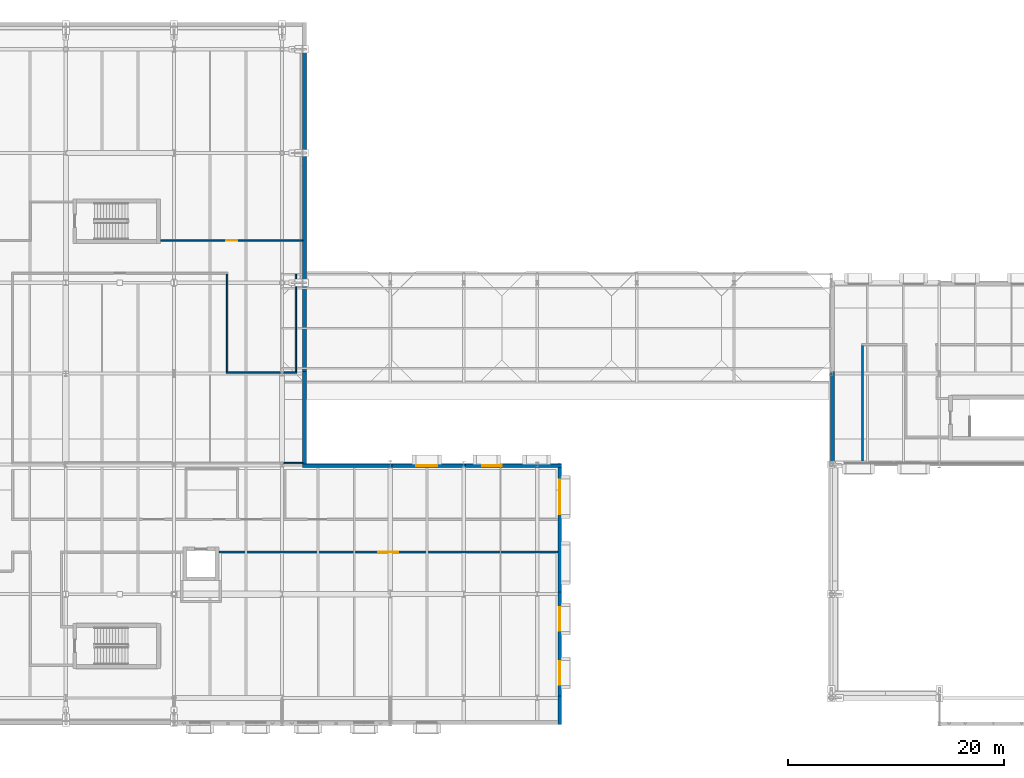
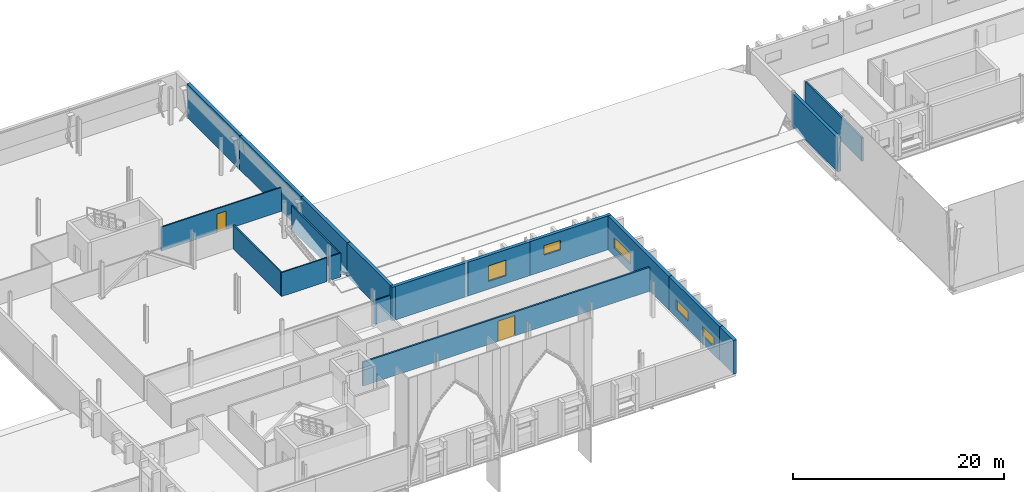
# One storey, part 66 of 90: 19 walls, 5 windows, 2 doors, 7 openings.
"""IFC4 building model written with IfcOpenShell, lengths in metres."""

import ifcopenshell
import ifcopenshell.guid

model = None  # the IFC model being written
_history = None  # IfcOwnerHistory: only IFC2X3 demands one
_inside = {}  # id of a spatial element -> (the spatial element, [elements in it])
_under = {}  # id of a project, library or spatial element -> (it, [spatial elements below it])
_declared = {}  # id of a project -> (the project, [libraries it declares])
_typed = {}  # id of a type object -> (the type object, [elements of that type])
_made_of = {}  # id of a material, layer set ... -> (it, [elements and type objects made of it])


def new_model(schema):
    """Start an empty IFC model of exactly this schema.

    Asked for "IFC4X3", IfcOpenShell would pick the latest addendum, in which some entities
    have other attributes; the version numbers below select the first issue.
    IFC2X3 requires an IfcOwnerHistory on every rooted entity: one is made here for all.
    """
    global model, _history
    if schema == "IFC4X3":
        model = ifcopenshell.file(schema_version=(4, 3, 0, 0))
    else:
        model = ifcopenshell.file(schema=schema)
    _inside.clear()
    _under.clear()
    _declared.clear()
    _typed.clear()
    _made_of.clear()
    _history = None
    if model.schema == "IFC2X3":
        org = make("IfcOrganization", Name="unknown")
        user = make(
            "IfcPersonAndOrganization",
            ThePerson=make("IfcPerson", FamilyName="unknown"),
            TheOrganization=org,
        )
        app = make(
            "IfcApplication",
            ApplicationDeveloper=org,
            Version="unknown",
            ApplicationFullName="unknown",
            ApplicationIdentifier="unknown",
        )
        _history = make(
            "IfcOwnerHistory",
            OwningUser=user,
            OwningApplication=app,
            ChangeAction="ADDED",
            CreationDate=0,
        )
    return model


def make(cls, **values):
    """One entity of the class cls with the attributes given. An attribute that is None is left unset."""
    return model.create_entity(
        cls, **{name: value for name, value in values.items() if value is not None}
    )


def rooted(cls, **values):
    """An entity with a GlobalId (a new one), such as an element, a storey or a relation."""
    return make(cls, GlobalId=ifcopenshell.guid.new(), OwnerHistory=_history, **values)


def si_unit(unit_type, name, prefix=None):
    """IfcSIUnit, for example si_unit("LENGTHUNIT", "METRE", prefix="MILLI")."""
    return make("IfcSIUnit", UnitType=unit_type, Prefix=prefix, Name=name)


def assignment(units):
    """IfcUnitAssignment: the units of a project."""
    return None if units is None else make("IfcUnitAssignment", Units=units)


def point(xyz):
    """IfcCartesianPoint."""
    return None if xyz is None else make("IfcCartesianPoint", Coordinates=xyz)


def direction(xyz):
    """IfcDirection."""
    return None if xyz is None else make("IfcDirection", DirectionRatios=xyz)


def frame(location, z_axis=None, x_axis=None):
    """IfcAxis2Placement3D, a coordinate frame: its origin and axes. An axis left out is left unset."""
    return make(
        "IfcAxis2Placement3D",
        Location=point(location),
        Axis=direction(z_axis),
        RefDirection=direction(x_axis),
    )


def frame_2d(location, x_axis=None):
    """IfcAxis2Placement2D, a coordinate frame in the plane: its origin and x axis."""
    return make(
        "IfcAxis2Placement2D", Location=point(location), RefDirection=direction(x_axis)
    )


def origin():
    """The frame at (0, 0, 0) with its axes left unset."""
    return frame((0.0, 0.0, 0.0))


def place(relative_to, where):
    """IfcLocalPlacement: puts the frame where relative to a parent placement (None: the world)."""
    return make(
        "IfcLocalPlacement", PlacementRelTo=relative_to, RelativePlacement=where
    )


def context(
    kind, dimensions, precision=None, world=None, true_north=None, identifier=None
):
    """IfcGeometricRepresentationContext, for example the 3D "Model" context."""
    return make(
        "IfcGeometricRepresentationContext",
        ContextIdentifier=identifier,
        ContextType=kind,
        CoordinateSpaceDimension=dimensions,
        Precision=precision,
        WorldCoordinateSystem=world,
        TrueNorth=true_north,
    )


def subcontext(parent, identifier, kind, view, scale=None):
    """IfcGeometricRepresentationSubContext, for example "Body" below "Model"."""
    return make(
        "IfcGeometricRepresentationSubContext",
        ContextIdentifier=identifier,
        ContextType=kind,
        ParentContext=parent,
        TargetScale=scale,
        TargetView=view,
    )


def project(units=None, contexts=None):
    """IfcProject with its units and contexts."""
    return rooted(
        "IfcProject",
        Name="project",
        RepresentationContexts=contexts,
        UnitsInContext=assignment(units),
    )


def spatial(cls, under=None, at=None, **own):
    """A site, building, storey or space (cls), placed at a placement, below another one or the project."""
    s = rooted(cls, ObjectPlacement=at, **own)
    if under is not None:
        _under.setdefault(under.id(), (under, []))[1].append(s)
    return s


def profile(cls, at=None, kind="AREA", **sizes):
    """A parametric profile (cls). Its sizes go by their IFC names, for example OverallWidth=200.0."""
    return make(cls, ProfileType=kind, Position=at, **sizes)


def rectangle(**sizes):
    """IfcRectangleProfileDef."""
    return profile("IfcRectangleProfileDef", **sizes)


def extrude(swept, where, along, depth):
    """IfcExtrudedAreaSolid: the profile swept, set in the frame where, extruded along a direction by depth."""
    return make(
        "IfcExtrudedAreaSolid",
        SweptArea=swept,
        Position=where,
        ExtrudedDirection=direction(along),
        Depth=depth,
    )


def shape(context_of_items, identifier, shape_type, items):
    """IfcShapeRepresentation: the items that make up one representation, for example the "Body"."""
    return make(
        "IfcShapeRepresentation",
        ContextOfItems=context_of_items,
        RepresentationIdentifier=identifier,
        RepresentationType=shape_type,
        Items=items,
    )


def material(Name=None, Category=None):
    """IfcMaterial."""
    return make("IfcMaterial", Name=Name, Category=Category)


def layer(
    of_material, thickness, ventilated=None, Name=None, Category=None, Priority=None
):
    """IfcMaterialLayer: one layer of a wall or slab, of a material (None: an air gap)."""
    return make(
        "IfcMaterialLayer",
        Material=of_material,
        LayerThickness=thickness,
        IsVentilated=ventilated,
        Name=Name,
        Category=Category,
        Priority=Priority,
    )


def layer_set(layers, Name=None):
    """IfcMaterialLayerSet."""
    return make("IfcMaterialLayerSet", MaterialLayers=layers, LayerSetName=Name)


def made_of(thing, what):
    """Note that an element or type object is made of a material, layer set ...; save() writes the relation."""
    if what is not None:
        _made_of.setdefault(what.id(), (what, []))[1].append(thing)
    return thing


def type_object(cls, material=None, **own):
    """A type object (cls), such as IfcWallType, which elements share."""
    return made_of(rooted(cls, **own), material)


def element(
    cls,
    number,
    at=None,
    inside=None,
    cuts=None,
    type_object=None,
    material=None,
    context=None,
    identifier="Body",
    shape_type=None,
    held_by="IfcProductDefinitionShape",
    body=None,
    shapes=None,
    **own,
):
    """One element of the class cls, such as IfcWall. Its Tag is "e" and its number.

    at: its placement. inside: the storey or other place that contains it. cuts: it is an
    opening in that element (IfcRelVoidsElement). A single representation is given by context,
    identifier, shape_type and body (its items); several are given by shapes. held_by: the class
    of the entity that holds the representations. save() writes the other relations.
    """
    e = rooted(cls, Tag="e%d" % number, ObjectPlacement=at, **own)
    if body is not None:
        shapes = [shape(context, identifier, shape_type, body)]
    if shapes is not None:
        e.Representation = make(held_by, Representations=shapes)
    if inside is not None:
        _inside.setdefault(inside.id(), (inside, []))[1].append(e)
    if cuts is not None:
        rooted(
            "IfcRelVoidsElement", RelatingBuildingElement=cuts, RelatedOpeningElement=e
        )
    if type_object is not None:
        _typed.setdefault(type_object.id(), (type_object, []))[1].append(e)
    return made_of(e, material)


def fill(opening, filler):
    """IfcRelFillsElement: the door or window that sits in an opening."""
    return rooted(
        "IfcRelFillsElement",
        RelatingOpeningElement=opening,
        RelatedBuildingElement=filler,
    )


def aggregate(whole, parts):
    """IfcRelAggregates: a whole, such as a stair, and the parts it consists of."""
    return rooted("IfcRelAggregates", RelatingObject=whole, RelatedObjects=parts)


def save(model, path):
    """Write the relations noted so far, then the file.

    IfcRelAggregates (storeys below a building ...), IfcRelContainedInSpatialStructure (elements
    in a storey), IfcRelDefinesByType, IfcRelAssociatesMaterial and IfcRelDeclares: one each for
    every whole, place, type object, material and project.
    """
    for whole, parts in _under.values():
        aggregate(whole, parts)
    for where, things in _inside.values():
        rooted(
            "IfcRelContainedInSpatialStructure",
            RelatedElements=things,
            RelatingStructure=where,
        )
    for kind, things in _typed.values():
        rooted("IfcRelDefinesByType", RelatedObjects=things, RelatingType=kind)
    for what, things in _made_of.values():
        rooted("IfcRelAssociatesMaterial", RelatedObjects=things, RelatingMaterial=what)
    for by, libraries in _declared.values():
        rooted("IfcRelDeclares", RelatingContext=by, RelatedDefinitions=libraries)
    model.write(path)


model = new_model("IFC4")

# Units and contexts
model_context = context("Model", 3, precision=1e-05, world=origin(), true_north=direction((0.0, 1.0)))
body_context = subcontext(model_context, "Body", "Model", "MODEL_VIEW")
ifc_project = project(units=[si_unit("LENGTHUNIT", "METRE"), si_unit("AREAUNIT", "SQUARE_METRE"), si_unit("VOLUMEUNIT", "CUBIC_METRE"), si_unit("PLANEANGLEUNIT", "RADIAN"), si_unit("MASSUNIT", "GRAM", prefix="KILO")], contexts=[model_context])

# Site, building, storey
site_placement = place(None, origin())
site = spatial("IfcSite", under=ifc_project, at=site_placement, CompositionType="ELEMENT")
building_placement = place(site_placement, origin())
building = spatial("IfcBuilding", under=site, at=building_placement, Name="Zereglee Splitstone Museum", CompositionType="ELEMENT")
storey_placement = place(building_placement, frame((0.0, 0.0, 4.800048828125)))
storey = spatial("IfcBuildingStorey", under=building, at=storey_placement, Name="L01", CompositionType="ELEMENT", Elevation=4.800048828125)

# Wall
ifc_material_1 = material(Name="Precast concrete C40/50", Category="concrete")
ifc_layer_1 = layer(ifc_material_1, 0.35009765625)
ifc_layer_set_1 = layer_set([ifc_layer_1], Name="Precast concrete C40/50")
wall_type_1 = type_object("IfcWallType", Name="EW-01", PredefinedType="STANDARD", material=ifc_layer_set_1)
wall_1_placement = place(storey_placement, frame((230.8798828125, -2.4599609375, 0.0), z_axis=(0.0, 0.0, 1.0), x_axis=(0.0, 1.0, 0.0)))
element("IfcWall", 1, at=wall_1_placement, inside=storey, type_object=wall_type_1, Name="Exterior Backup Wall RC4-EW-L01-0024", PredefinedType="STANDARD", context=body_context, shape_type="SweptSolid", body=[
    extrude(rectangle(XDim=2.639892578125, YDim=0.35009765625, at=frame_2d((1.31982421875, 0.0))), origin(), (0.0, 0.0, 1.0), 3.89990234375),
])

# Wall, openings, windows
wall_2_placement = place(storey_placement, frame((230.8798828125, -0.179931640625, 0.0), z_axis=(0.0, 0.0, 1.0), x_axis=(0.0, 1.0, 0.0)))
wall_2 = element("IfcWall", 2, at=wall_2_placement, inside=storey, type_object=wall_type_1, Name="Exterior Backup Wall RC4-EW-L01-0025", PredefinedType="STANDARD", context=body_context, shape_type="SweptSolid", body=[
    extrude(rectangle(XDim=9.9599609375, YDim=0.35009765625, at=frame_2d((4.97998046875, 0.0))), origin(), (0.0, 0.0, 1.0), 3.89990234375),
])
opening_1_placement = place(wall_2_placement, frame((1.389892578125, 0.0, 0.89990234375)))
opening_1 = element("IfcOpeningElement", 3, at=opening_1_placement, cuts=wall_2, Name="Opening EW-W13", PredefinedType="OPENING", context=body_context, shape_type="SweptSolid", body=[
    extrude(rectangle(XDim=2.199951171875, YDim=1.10009765625, at=frame_2d((1.10009765625, 0.550048828125))), frame((0.0, 0.18994140625, 0.0), z_axis=(0.0, -1.0, 0.0), x_axis=(1.0, 0.0, 0.0)), (0.0, 0.0, 1.0), 0.3798828125),
])
opening_2_placement = place(wall_2_placement, frame((6.3701171875, 0.0, 0.89990234375)))
opening_2 = element("IfcOpeningElement", 4, at=opening_2_placement, cuts=wall_2, Name="Opening EW-W13", PredefinedType="OPENING", context=body_context, shape_type="SweptSolid", body=[
    extrude(rectangle(XDim=2.199951171875, YDim=1.10009765625, at=frame_2d((1.10009765625, 0.550048828125))), frame((0.0, 0.18994140625, 0.0), z_axis=(0.0, -1.0, 0.0), x_axis=(1.0, 0.0, 0.0)), (0.0, 0.0, 1.0), 0.3798828125),
])
ifc_material_2 = material(Name="Thermally broken aluminium frame with triple low-e glazing", Category="aluminium")
window_type_1 = type_object("IfcWindowType", Name="EW-W13", PartitioningType="DOUBLE_PANEL_HORIZONTAL", PredefinedType="WINDOW", material=ifc_material_2)
window_1_placement = place(opening_1_placement, origin())
window_1 = element("IfcWindow", 5, at=window_1_placement, inside=storey, type_object=window_type_1, Name="Mughal Deep-Reveal Gallery Window L01-0010", OverallHeight=1.10009765625, OverallWidth=2.199951171875, PartitioningType="SINGLE_PANEL", PredefinedType="WINDOW", context=body_context, shape_type="SweptSolid", body=[
    extrude(rectangle(XDim=2.199951171875, YDim=1.10009765625, at=frame_2d((1.10009765625, 0.550048828125))), frame((0.0, 0.030029296875, 0.0), z_axis=(0.0, -1.0, 0.0), x_axis=(1.0, 0.0, 0.0)), (0.0, 0.0, 1.0), 0.06005859375),
])
fill(opening_1, window_1)
window_2_placement = place(opening_2_placement, origin())
window_2 = element("IfcWindow", 6, at=window_2_placement, inside=storey, type_object=window_type_1, Name="Mughal Deep-Reveal Gallery Window L01-0011", OverallHeight=1.10009765625, OverallWidth=2.199951171875, PartitioningType="SINGLE_PANEL", PredefinedType="WINDOW", context=body_context, shape_type="SweptSolid", body=[
    extrude(rectangle(XDim=2.199951171875, YDim=1.10009765625, at=frame_2d((1.10009765625, 0.550048828125))), frame((0.0, 0.030029296875, 0.0), z_axis=(0.0, -1.0, 0.0), x_axis=(1.0, 0.0, 0.0)), (0.0, 0.0, 1.0), 0.06005859375),
])
fill(opening_2, window_2)

# Wall, opening, window
wall_3_placement = place(storey_placement, frame((230.8798828125, 9.419921875, 0.0), z_axis=(0.0, 0.0, 1.0), x_axis=(0.0, 1.0, 0.0)))
wall_3 = element("IfcWall", 7, at=wall_3_placement, inside=storey, type_object=wall_type_1, Name="Exterior Backup Wall RC4-EW-L01-0026", PredefinedType="STANDARD", context=body_context, shape_type="SweptSolid", body=[
    extrude(rectangle(XDim=12.239990234375, YDim=0.35009765625, at=frame_2d((6.1201171875, 0.0))), origin(), (0.0, 0.0, 1.0), 3.89990234375),
])
opening_3_placement = place(wall_3_placement, frame((7.580078125, 0.0, 0.89990234375)))
opening_3 = element("IfcOpeningElement", 8, at=opening_3_placement, cuts=wall_3, Name="Opening EW-W15", PredefinedType="OPENING", context=body_context, shape_type="SweptSolid", body=[
    extrude(rectangle(XDim=3.199951171875, YDim=1.199951171875, at=frame_2d((1.60009765625, 0.60009765625))), frame((0.0, 0.18994140625, 0.0), z_axis=(0.0, -1.0, 0.0), x_axis=(1.0, 0.0, 0.0)), (0.0, 0.0, 1.0), 0.3798828125),
])
window_type_2 = type_object("IfcWindowType", Name="EW-W15", PartitioningType="TRIPLE_PANEL_VERTICAL", PredefinedType="WINDOW", material=ifc_material_2)
window_3_placement = place(opening_3_placement, origin())
window_3 = element("IfcWindow", 9, at=window_3_placement, inside=storey, type_object=window_type_2, Name="Mughal Deep-Reveal Gallery Window L01-0013", OverallHeight=1.199951171875, OverallWidth=3.199951171875, PartitioningType="SINGLE_PANEL", PredefinedType="WINDOW", context=body_context, shape_type="SweptSolid", body=[
    extrude(rectangle(XDim=3.199951171875, YDim=1.199951171875, at=frame_2d((1.60009765625, 0.60009765625))), frame((0.0, 0.030029296875, 0.0), z_axis=(0.0, -1.0, 0.0), x_axis=(1.0, 0.0, 0.0)), (0.0, 0.0, 1.0), 0.06005859375),
])
fill(opening_3, window_3)

wall_4_placement = place(storey_placement, frame((231.06005859375, 21.47998046875, 0.0), z_axis=(0.0, 0.0, 1.0), x_axis=(-1.0, 0.0, 0.0)))
wall_4 = element("IfcWall", 10, at=wall_4_placement, inside=storey, type_object=wall_type_1, Name="Exterior Backup Wall RC4-EW-L01-0027", PredefinedType="STANDARD", context=body_context, shape_type="SweptSolid", body=[
    extrude(rectangle(XDim=9.239990234375, YDim=0.35009765625, at=frame_2d((4.6201171875, 0.0))), origin(), (0.0, 0.0, 1.0), 3.89990234375),
])
opening_4_placement = place(wall_4_placement, frame((5.530029296875, 0.0, 1.800048828125)))
opening_4 = element("IfcOpeningElement", 11, at=opening_4_placement, cuts=wall_4, Name="Opening EW-W12", PredefinedType="OPENING", context=body_context, shape_type="SweptSolid", body=[
    extrude(rectangle(XDim=1.800048828125, YDim=1.10009765625, at=frame_2d((0.89990234375, 0.550048828125))), frame((0.0, 0.18994140625, 0.0), z_axis=(0.0, -1.0, 0.0), x_axis=(1.0, 0.0, 0.0)), (0.0, 0.0, 1.0), 0.3798828125),
])
window_type_3 = type_object("IfcWindowType", Name="EW-W12", PartitioningType="DOUBLE_PANEL_HORIZONTAL", PredefinedType="WINDOW", material=ifc_material_2)
window_4_placement = place(opening_4_placement, origin())
window_4 = element("IfcWindow", 12, at=window_4_placement, inside=storey, type_object=window_type_3, Name="Mughal Deep-Reveal Gallery Window L01-0015", OverallHeight=1.10009765625, OverallWidth=1.800048828125, PartitioningType="SINGLE_PANEL", PredefinedType="WINDOW", context=body_context, shape_type="SweptSolid", body=[
    extrude(rectangle(XDim=1.800048828125, YDim=1.10009765625, at=frame_2d((0.89990234375, 0.550048828125))), frame((0.0, 0.030029296875, 0.0), z_axis=(0.0, -1.0, 0.0), x_axis=(1.0, 0.0, 0.0)), (0.0, 0.0, 1.0), 0.06005859375),
])
fill(opening_4, window_4)

wall_5_placement = place(storey_placement, frame((222.179931640625, 21.47998046875, 0.0), z_axis=(0.0, 0.0, 1.0), x_axis=(-1.0, 0.0, 0.0)))
wall_5 = element("IfcWall", 13, at=wall_5_placement, inside=storey, type_object=wall_type_1, Name="Exterior Backup Wall RC4-EW-L01-0028", PredefinedType="STANDARD", context=body_context, shape_type="SweptSolid", body=[
    extrude(rectangle(XDim=7.159912109375, YDim=0.35009765625, at=frame_2d((3.580078125, 0.0))), origin(), (0.0, 0.0, 1.0), 3.89990234375),
])
opening_5_placement = place(wall_5_placement, frame((2.60498046875, 0.0, 0.89990234375)))
opening_5 = element("IfcOpeningElement", 14, at=opening_5_placement, cuts=wall_5, Name="Opening EW-W19", PredefinedType="OPENING", context=body_context, shape_type="SweptSolid", body=[
    extrude(rectangle(XDim=1.949951171875, YDim=1.800048828125, at=frame_2d((0.97509765625, 0.89990234375))), frame((0.0, 0.18994140625, 0.0), z_axis=(0.0, -1.0, 0.0), x_axis=(1.0, 0.0, 0.0)), (0.0, 0.0, 1.0), 0.3798828125),
])
window_type_4 = type_object("IfcWindowType", Name="EW-W19", PartitioningType="DOUBLE_PANEL_VERTICAL", PredefinedType="WINDOW", material=ifc_material_2)
window_5_placement = place(opening_5_placement, origin())
window_5 = element("IfcWindow", 15, at=window_5_placement, inside=storey, type_object=window_type_4, Name="Mughal Deep-Reveal Gallery Window L01-0016", OverallHeight=1.800048828125, OverallWidth=1.949951171875, PartitioningType="SINGLE_PANEL", PredefinedType="WINDOW", context=body_context, shape_type="SweptSolid", body=[
    extrude(rectangle(XDim=1.949951171875, YDim=1.800048828125, at=frame_2d((0.97509765625, 0.89990234375))), frame((0.0, 0.030029296875, 0.0), z_axis=(0.0, -1.0, 0.0), x_axis=(1.0, 0.0, 0.0)), (0.0, 0.0, 1.0), 0.06005859375),
])
fill(opening_5, window_5)

# Walls
wall_6_placement = place(storey_placement, frame((215.3798828125, 21.47998046875, 0.0), z_axis=(0.0, 0.0, 1.0), x_axis=(-1.0, 0.0, 0.0)))
element("IfcWall", 16, at=wall_6_placement, inside=storey, type_object=wall_type_1, Name="Exterior Backup Wall RC4-EW-L01-0029", PredefinedType="STANDARD", context=body_context, shape_type="SweptSolid", body=[
    extrude(rectangle(XDim=8.27978515625, YDim=0.35009765625, at=frame_2d((4.139892578125, 0.0))), origin(), (0.0, 0.0, 1.0), 3.89990234375),
])
wall_7_placement = place(storey_placement, frame((207.280029296875, 21.300048828125, 0.0), z_axis=(0.0, 0.0, 1.0), x_axis=(0.0, 1.0, 0.0)))
element("IfcWall", 17, at=wall_7_placement, inside=storey, type_object=wall_type_1, Name="Exterior Backup Wall RC4-EW-L01-0030", PredefinedType="STANDARD", context=body_context, shape_type="SweptSolid", body=[
    extrude(rectangle(XDim=8.8798828125, YDim=0.35009765625, at=frame_2d((4.43994140625, 0.0))), origin(), (0.0, 0.0, 1.0), 3.89990234375),
])
wall_8_placement = place(storey_placement, frame((207.280029296875, 29.820068359375, 0.0), z_axis=(0.0, 0.0, 1.0), x_axis=(0.0, 1.0, 0.0)))
element("IfcWall", 18, at=wall_8_placement, inside=storey, type_object=wall_type_1, Name="Exterior Backup Wall RC4-EW-L01-0031", PredefinedType="STANDARD", context=body_context, shape_type="SweptSolid", body=[
    extrude(rectangle(XDim=8.760009765625, YDim=0.35009765625, at=frame_2d((4.3798828125, 0.0))), origin(), (0.0, 0.0, 1.0), 3.89990234375),
])
wall_9_placement = place(storey_placement, frame((207.280029296875, 38.219970703125, 0.0), z_axis=(0.0, 0.0, 1.0), x_axis=(0.0, 1.0, 0.0)))
element("IfcWall", 19, at=wall_9_placement, inside=storey, type_object=wall_type_1, Name="Exterior Backup Wall RC4-EW-L01-0032", PredefinedType="STANDARD", context=body_context, shape_type="SweptSolid", body=[
    extrude(rectangle(XDim=12.360107421875, YDim=0.35009765625, at=frame_2d((6.18017578125, 0.0))), origin(), (0.0, 0.0, 1.0), 3.89990234375),
])
wall_10_placement = place(storey_placement, frame((207.280029296875, 50.219970703125, 0.0), z_axis=(0.0, 0.0, 1.0), x_axis=(0.0, 1.0, 0.0)))
element("IfcWall", 20, at=wall_10_placement, inside=storey, type_object=wall_type_1, Name="Exterior Backup Wall RC4-EW-L01-0033", PredefinedType="STANDARD", context=body_context, shape_type="SweptSolid", body=[
    extrude(rectangle(XDim=9.9599609375, YDim=0.35009765625, at=frame_2d((4.97998046875, 0.0))), origin(), (0.0, 0.0, 1.0), 3.89990234375),
])
wall_11_placement = place(storey_placement, frame((256.1201171875, 30.179931640625, 0.0), z_axis=(0.0, 0.0, 1.0), x_axis=(0.0, -1.0, 0.0)))
element("IfcWall", 21, at=wall_11_placement, inside=storey, type_object=wall_type_1, Name="Exterior Backup Wall RC4-EW-L01-0091", PredefinedType="STANDARD", context=body_context, shape_type="SweptSolid", body=[
    extrude(rectangle(XDim=8.639892578125, YDim=0.35009765625, at=frame_2d((4.31982421875, 0.0))), origin(), (0.0, 0.0, 1.0), 3.89990234375),
])
ifc_material_3 = material(Name="Fire-rated gypsum board partition", Category="masonry")
ifc_layer_2 = layer(ifc_material_3, 0.139892578125)
ifc_layer_set_2 = layer_set([ifc_layer_2], Name="Fire-rated gypsum board partition")
wall_type_2 = type_object("IfcWallType", Name="IW-05", PredefinedType="PARTITIONING", material=ifc_layer_set_2)
wall_12_placement = place(storey_placement, frame((205.35009765625, 21.719970703125, 0.0), z_axis=(0.0, 0.0, 1.0), x_axis=(1.0, 0.0, 0.0)))
element("IfcWall", 22, at=wall_12_placement, inside=storey, type_object=wall_type_2, Name="Interior Partition L01-0360 (Curatorial Study Room)", PredefinedType="PARTITIONING", context=body_context, shape_type="SweptSolid", body=[
    extrude(rectangle(XDim=1.7548828125, YDim=0.139892578125, at=frame_2d((0.87744140625, 0.0))), origin(), (0.0, 0.0, 1.0), 2.760009765625),
])
wall_13_placement = place(storey_placement, frame((200.050048828125, 30.1201171875, 0.0), z_axis=(0.0, 0.0, 1.0), x_axis=(1.0, 0.0, 0.0)))
element("IfcWall", 23, at=wall_13_placement, inside=storey, type_object=wall_type_2, Name="Interior Partition L01-0368 (Curatorial Study Room)", PredefinedType="PARTITIONING", context=body_context, shape_type="SweptSolid", body=[
    extrude(rectangle(XDim=5.0, YDim=0.139892578125, at=frame_2d((2.5, 0.0))), origin(), (0.0, 0.0, 1.0), 2.760009765625),
])
wall_14_placement = place(storey_placement, frame((205.35009765625, 30.1201171875, 0.0), z_axis=(0.0, 0.0, 1.0), x_axis=(1.0, 0.0, 0.0)))
element("IfcWall", 24, at=wall_14_placement, inside=storey, type_object=wall_type_2, Name="Interior Partition L01-0369 (Curatorial Study Room)", PredefinedType="PARTITIONING", context=body_context, shape_type="SweptSolid", body=[
    extrude(rectangle(XDim=1.199951171875, YDim=0.139892578125, at=frame_2d((0.60009765625, 0.0))), origin(), (0.0, 0.0, 1.0), 2.760009765625),
])

# Wall, opening, door
wall_15_placement = place(storey_placement, frame((193.9599609375, 42.320068359375, 0.0), z_axis=(0.0, 0.0, 1.0), x_axis=(1.0, 0.0, 0.0)))
wall_15 = element("IfcWall", 25, at=wall_15_placement, inside=storey, type_object=wall_type_2, Name="Interior Partition L01-0381 (Museum Administration Office)", PredefinedType="PARTITIONING", context=body_context, shape_type="SweptSolid", body=[
    extrude(rectangle(XDim=13.14501953125, YDim=0.139892578125, at=frame_2d((6.572509765625, 0.0))), origin(), (0.0, 0.0, 1.0), 2.760009765625),
])
opening_6_placement = place(wall_15_placement, frame((6.072509765625, 0.0, 0.0)))
opening_6 = element("IfcOpeningElement", 26, at=opening_6_placement, cuts=wall_15, Name="Opening ID-10", PredefinedType="OPENING", context=body_context, shape_type="SweptSolid", body=[
    extrude(rectangle(XDim=1.0, YDim=2.14990234375, at=frame_2d((0.5, 1.074951171875))), frame((0.0, 0.0849609375, 0.0), z_axis=(0.0, -1.0, 0.0), x_axis=(1.0, 0.0, 0.0)), (0.0, 0.0, 1.0), 0.169677734375),
])
ifc_material_4 = material(Name="Siberian larch acoustic timber leaf in bronze-steel frame", Category="steel")
door_type_1 = type_object("IfcDoorType", Name="ID-10", OperationType="NOTDEFINED", PredefinedType="DOOR", material=ifc_material_4)
door_1_placement = place(opening_6_placement, origin())
door_1 = element("IfcDoor", 27, at=door_1_placement, inside=storey, type_object=door_type_1, Name="Interior Door L01-0073 (Museum Administration Office)", OperationType="SINGLE_SWING_RIGHT", OverallHeight=2.14990234375, OverallWidth=1.0, PredefinedType="DOOR", context=body_context, shape_type="SweptSolid", body=[
    extrude(rectangle(XDim=1.0, YDim=2.14990234375, at=frame_2d((0.5, 1.074951171875))), frame((0.0, 0.02490234375, 0.0), z_axis=(0.0, -1.0, 0.0), x_axis=(1.0, 0.0, 0.0)), (0.0, 0.0, 1.0), 0.050048828125),
])
fill(opening_6, door_1)

# Walls
wall_16_placement = place(storey_placement, frame((200.1201171875, 30.18994140625, 0.0), z_axis=(0.0, 0.0, 1.0), x_axis=(0.0, 1.0, 0.0)))
element("IfcWall", 28, at=wall_16_placement, inside=storey, type_object=wall_type_2, Name="Interior Partition L01-0434 (Curatorial Study Room)", PredefinedType="PARTITIONING", context=body_context, shape_type="SweptSolid", body=[
    extrude(rectangle(XDim=9.02001953125, YDim=0.139892578125, at=frame_2d((4.510009765625, 0.0))), origin(), (0.0, 0.0, 1.0), 2.760009765625),
])
wall_17_placement = place(storey_placement, frame((206.47998046875, 30.18994140625, 0.0), z_axis=(0.0, 0.0, 1.0), x_axis=(0.0, 1.0, 0.0)))
element("IfcWall", 29, at=wall_17_placement, inside=storey, type_object=wall_type_2, Name="Interior Partition L01-0437 (Curatorial Study Room)", PredefinedType="PARTITIONING", context=body_context, shape_type="SweptSolid", body=[
    extrude(rectangle(XDim=9.0, YDim=0.139892578125, at=frame_2d((4.5, 0.0))), origin(), (0.0, 0.0, 1.0), 2.760009765625),
])

# Wall, opening, door
ifc_material_5 = material(Name="Gypsum board on acoustic steel stud", Category="steel")
ifc_layer_3 = layer(ifc_material_5, 0.18994140625)
ifc_layer_set_3 = layer_set([ifc_layer_3], Name="Gypsum board on acoustic steel stud")
wall_type_3 = type_object("IfcWallType", Name="IW-02", PredefinedType="PARTITIONING", material=ifc_layer_set_3)
wall_18_placement = place(storey_placement, frame((199.360107421875, 13.47998046875, 0.0), z_axis=(0.0, 0.0, 1.0), x_axis=(1.0, 0.0, 0.0)))
wall_18 = element("IfcWall", 30, at=wall_18_placement, inside=storey, type_object=wall_type_3, Name="Interior Partition L01-0338 (Steppe Ecology Gallery)", PredefinedType="PARTITIONING", context=body_context, shape_type="SweptSolid", body=[
    extrude(rectangle(XDim=31.344970703125, YDim=0.18994140625, at=frame_2d((15.67236328125, 0.0))), origin(), (0.0, 0.0, 1.0), 2.760009765625),
])
opening_7_placement = place(wall_18_placement, frame((14.74755859375, 0.0, 0.0)))
opening_7 = element("IfcOpeningElement", 31, at=opening_7_placement, cuts=wall_18, Name="Opening ID-02", PredefinedType="OPENING", context=body_context, shape_type="SweptSolid", body=[
    extrude(rectangle(XDim=1.85009765625, YDim=2.35009765625, at=frame_2d((0.925048828125, 1.175048828125))), frame((0.0, 0.10986328125, 0.0), z_axis=(0.0, -1.0, 0.0), x_axis=(1.0, 0.0, 0.0)), (0.0, 0.0, 1.0), 0.2197265625),
])
ifc_material_6 = material(Name="Fire-rated steel and Siberian larch leaf", Category="steel")
door_type_2 = type_object("IfcDoorType", Name="ID-02", OperationType="NOTDEFINED", PredefinedType="DOOR", material=ifc_material_6)
door_2_placement = place(opening_7_placement, frame((1.85009765625, 0.0, 0.0), z_axis=(0.0, 0.0, 1.0), x_axis=(-1.0, 0.0, 0.0)))
door_2 = element("IfcDoor", 32, at=door_2_placement, inside=storey, type_object=door_type_2, Name="Interior Door L01-0068 (Steppe Ecology Gallery)", OperationType="DOUBLE_DOOR_SINGLE_SWING", OverallHeight=2.35009765625, OverallWidth=1.85009765625, PredefinedType="DOOR", context=body_context, shape_type="SweptSolid", body=[
    extrude(rectangle(XDim=1.85009765625, YDim=2.35009765625, at=frame_2d((0.925048828125, 1.175048828125))), frame((0.0, 0.02490234375, 0.0), z_axis=(0.0, -1.0, 0.0), x_axis=(1.0, 0.0, 0.0)), (0.0, 0.0, 1.0), 0.050048828125),
])
fill(opening_7, door_2)

# Wall
wall_19_placement = place(storey_placement, frame((258.8798828125, 21.89501953125, 0.0), z_axis=(0.0, 0.0, 1.0), x_axis=(0.0, 1.0, 0.0)))
element("IfcWall", 33, at=wall_19_placement, inside=storey, type_object=wall_type_3, Name="Interior Partition L01-0438 (Auditorium Upper Foyer)", PredefinedType="PARTITIONING", context=body_context, shape_type="SweptSolid", body=[
    extrude(rectangle(XDim=10.68994140625, YDim=0.18994140625, at=frame_2d((5.344970703125, 0.0))), origin(), (0.0, 0.0, 1.0), 2.760009765625),
])

save(model, "model.ifc")
